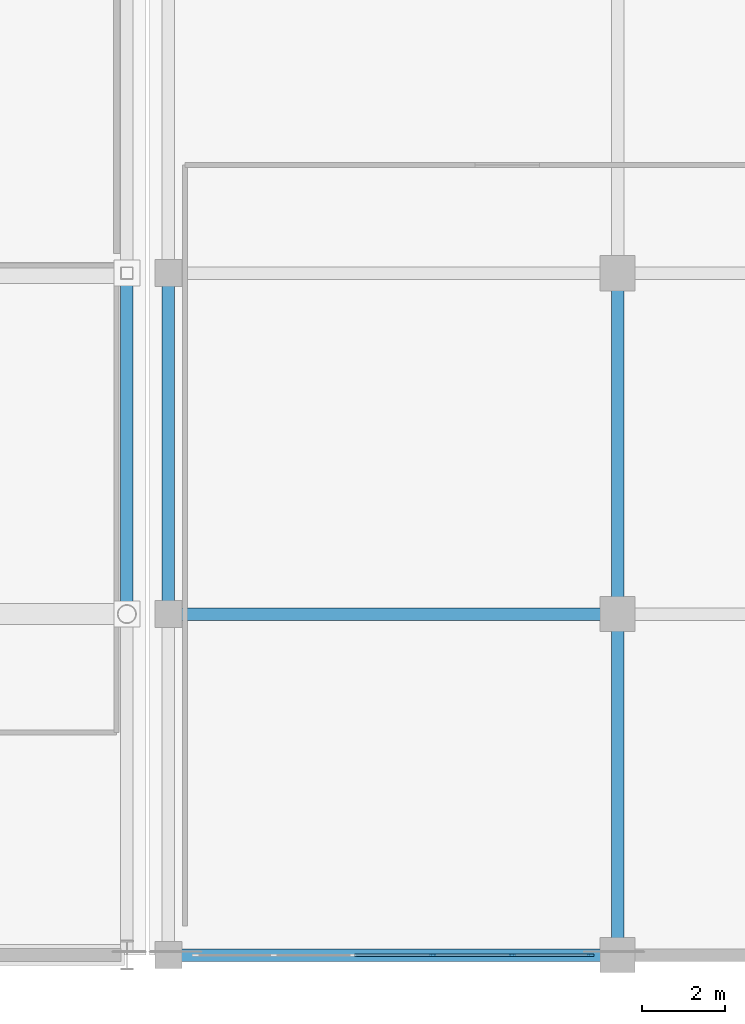
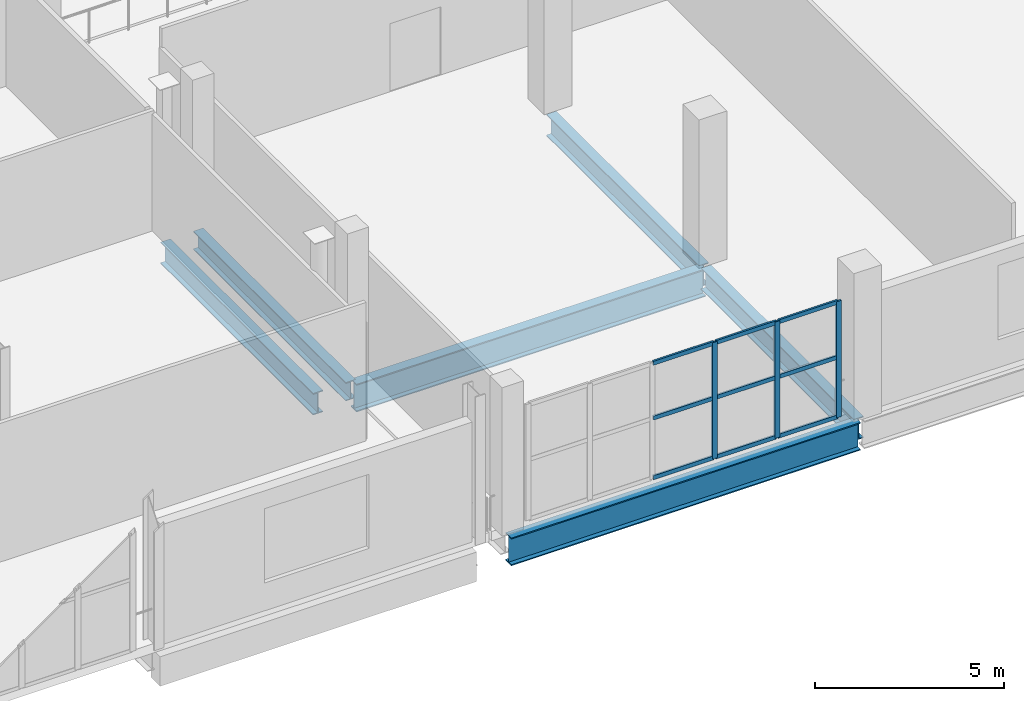
# One storey, part 13 of 142: 12 members, 6 beams, 1 element without a shape of its own.
"""IFC4 building model written with IfcOpenShell, lengths in metres."""

from ifc_helpers import new_model, si_unit, direction, frame, origin, origin_2d, place, context, subcontext, project, spatial, rectangle, i_section, extrude, material, material_profile, profile_set, type_object, element, aggregate, save


model = new_model("IFC4")

# Units and contexts
model_context = context("Model", 3, precision=1e-05, world=origin(), true_north=direction((0.0, 1.0)))
body_context = subcontext(model_context, "Body", "Model", "MODEL_VIEW")
ifc_project = project(units=[si_unit("LENGTHUNIT", "METRE"), si_unit("AREAUNIT", "SQUARE_METRE"), si_unit("VOLUMEUNIT", "CUBIC_METRE"), si_unit("PLANEANGLEUNIT", "RADIAN"), si_unit("MASSUNIT", "GRAM", prefix="KILO")], contexts=[model_context])

# Site, building, storey
site_placement = place(None, origin())
site = spatial("IfcSite", under=ifc_project, at=site_placement, CompositionType="ELEMENT")
building_placement = place(site_placement, origin())
building = spatial("IfcBuilding", under=site, at=building_placement, Name="Koshinbarg Plaza Stadium", CompositionType="ELEMENT")
storey_placement = place(building_placement, frame((0.0, 0.0, 10.199951171875)))
storey = spatial("IfcBuildingStorey", under=building, at=storey_placement, Name="L02", CompositionType="ELEMENT", Elevation=10.199951171875)

# Beams
ifc_material_1 = material(Name="Steel S355", Category="steel")
ifc_material_profile_1 = material_profile(ifc_material_1, i_section(OverallWidth=0.300048828125, OverallDepth=0.60009765625, WebThickness=0.015380859375, FlangeThickness=0.030029296875, at=origin_2d()), Name="HEB 600")
ifc_profile_set_1 = profile_set([ifc_material_profile_1], Name="Steel S355")
beam_type_1 = type_object("IfcBeamType", Name="BM-SGIR-02", PredefinedType="USERDEFINED", material=ifc_profile_set_1)
beam_1_placement = place(storey_placement, frame((24.60009765625, 8.260009765625, -0.599853515625), z_axis=(0.0, 1.0, 0.0), x_axis=(-1.0, 0.0, 0.0)))
element("IfcBeam", 1, at=beam_1_placement, inside=storey, type_object=beam_type_1, Name="L02 Y girder 5/B-C", ObjectType="GIRDER", PredefinedType="USERDEFINED", context=body_context, shape_type="SweptSolid", body=[
    extrude(i_section(OverallWidth=0.300048828125, OverallDepth=0.60009765625, WebThickness=0.015380859375, FlangeThickness=0.030029296875, at=origin_2d()), origin(), (0.0, 0.0, 1.0), 8.080078125),
])
ifc_material_profile_2 = material_profile(ifc_material_1, i_section(OverallWidth=0.300048828125, OverallDepth=0.699951171875, WebThickness=0.01708984375, FlangeThickness=0.031982421875, at=origin_2d()), Name="HEB 700")
ifc_profile_set_2 = profile_set([ifc_material_profile_2], Name="Steel S355")
beam_type_2 = type_object("IfcBeamType", Name="BM-SGIR-03", PredefinedType="USERDEFINED", material=ifc_profile_set_2)
beam_2_placement = place(storey_placement, frame((23.60009765625, 8.260009765625, -0.64990234375), z_axis=(0.0, 1.0, 0.0), x_axis=(-1.0, 0.0, 0.0)))
element("IfcBeam", 2, at=beam_2_placement, inside=storey, type_object=beam_type_2, Name="L02 Y girder 4/B-C", ObjectType="GIRDER", PredefinedType="USERDEFINED", context=body_context, shape_type="SweptSolid", body=[
    extrude(i_section(OverallWidth=0.300048828125, OverallDepth=0.699951171875, WebThickness=0.01708984375, FlangeThickness=0.031982421875, at=origin_2d()), origin(), (0.0, 0.0, 1.0), 8.080078125),
])
beam_3_placement = place(storey_placement, frame((35.39990234375, 0.06005859375, -0.64990234375), z_axis=(0.0, 1.0, 0.0), x_axis=(-1.0, 0.0, 0.0)))
element("IfcBeam", 3, at=beam_3_placement, inside=storey, type_object=beam_type_2, Name="L02 Y girder 6/A-B", ObjectType="GIRDER", PredefinedType="USERDEFINED", context=body_context, shape_type="SweptSolid", body=[
    extrude(i_section(OverallWidth=0.300048828125, OverallDepth=0.699951171875, WebThickness=0.01708984375, FlangeThickness=0.031982421875, at=origin_2d()), origin(), (0.0, 0.0, 1.0), 8.079833984375),
])
beam_4_placement = place(storey_placement, frame((35.39990234375, 8.260009765625, -0.64990234375), z_axis=(0.0, 1.0, 0.0), x_axis=(-1.0, 0.0, 0.0)))
element("IfcBeam", 4, at=beam_4_placement, inside=storey, type_object=beam_type_2, Name="L02 Y girder 6/B-C", ObjectType="GIRDER", PredefinedType="USERDEFINED", context=body_context, shape_type="SweptSolid", body=[
    extrude(i_section(OverallWidth=0.300048828125, OverallDepth=0.699951171875, WebThickness=0.01708984375, FlangeThickness=0.031982421875, at=origin_2d()), origin(), (0.0, 0.0, 1.0), 8.080078125),
])
ifc_material_profile_3 = material_profile(ifc_material_1, i_section(OverallWidth=0.300048828125, OverallDepth=0.89990234375, WebThickness=0.0185546875, FlangeThickness=0.034912109375, at=origin_2d()), Name="HEB 900")
ifc_profile_set_3 = profile_set([ifc_material_profile_3], Name="Steel S355")
beam_type_3 = type_object("IfcBeamType", Name="BM-SGIR-05", PredefinedType="USERDEFINED", material=ifc_profile_set_3)
for number, where, z_axis, x_axis, name in (
    (5, (24.659912109375, 0.0, -0.75), (1.0, 0.0, 0.0), (0.0, 1.0, 0.0), "L02 X girder A/5-6"),
    (6, (24.659912109375, 8.199951171875, -0.75), (1.0, 0.0, 0.0), (0.0, 1.0, 0.0), "L02 X girder B/5-6"),
):
    element("IfcBeam", number, at=place(storey_placement, frame(where, z_axis=z_axis, x_axis=x_axis)), inside=storey, type_object=beam_type_3, Name=name, ObjectType="GIRDER", PredefinedType="USERDEFINED", context=body_context, shape_type="SweptSolid", body=[
        extrude(i_section(OverallWidth=0.300048828125, OverallDepth=0.89990234375, WebThickness=0.0185546875, FlangeThickness=0.034912109375, at=origin_2d()), origin(), (0.0, 0.0, 1.0), 10.68017578125),
    ])

# Curtain wall, members
ifc_material_2 = material(Name="Thermally broken anodised aluminium and low-E double glazing", Category="aluminium")
curtain_wall_type = type_object("IfcCurtainWallType", Name="CW-SYS-06", PredefinedType="NOTDEFINED", material=ifc_material_2)
curtain_wall_placement = place(storey_placement, origin())
curtain_wall = element("IfcCurtainWall", 7, at=curtain_wall_placement, inside=storey, type_object=curtain_wall_type, Name="L02 unitised curtain wall CW-L02-069", PredefinedType="NOTDEFINED")
ifc_material_3 = material(Name="Anodised aluminium mullion", Category="aluminium")
ifc_material_profile_4 = material_profile(ifc_material_3, rectangle(XDim=0.06005859375, YDim=0.159912109375, at=origin_2d()), Name="ALU 60x160")
ifc_profile_set_4 = profile_set([ifc_material_profile_4], Name="Anodised aluminium mullion")
member_type_1 = type_object("IfcMemberType", Name="CW-MUL-02", PredefinedType="MULLION", material=ifc_profile_set_4)
member_1_placement = place(storey_placement, frame((34.75, 0.0, 0.0), z_axis=(0.0, 0.0, 1.0), x_axis=(0.0, -1.0, 0.0)))
member_1 = element("IfcMember", 8, at=member_1_placement, type_object=member_type_1, Name="CW06 mullion 1", PredefinedType="MULLION", context=body_context, shape_type="SweptSolid", body=[
    extrude(rectangle(XDim=0.06005859375, YDim=0.159912109375, at=origin_2d()), origin(), (0.0, 0.0, 1.0), 3.760009765625),
])
member_2_placement = place(storey_placement, frame((32.867919921875, 0.0, 0.0), z_axis=(0.0, 0.0, 1.0), x_axis=(0.0, -1.0, 0.0)))
member_2 = element("IfcMember", 9, at=member_2_placement, type_object=member_type_1, Name="CW06 mullion 2", PredefinedType="MULLION", context=body_context, shape_type="SweptSolid", body=[
    extrude(rectangle(XDim=0.06005859375, YDim=0.159912109375, at=origin_2d()), origin(), (0.0, 0.0, 1.0), 3.760009765625),
])
member_3_placement = place(storey_placement, frame((30.9560546875, 0.0, 0.0), z_axis=(0.0, 0.0, 1.0), x_axis=(0.0, -1.0, 0.0)))
member_3 = element("IfcMember", 10, at=member_3_placement, type_object=member_type_1, Name="CW06 mullion 3", PredefinedType="MULLION", context=body_context, shape_type="SweptSolid", body=[
    extrude(rectangle(XDim=0.06005859375, YDim=0.159912109375, at=origin_2d()), origin(), (0.0, 0.0, 1.0), 3.760009765625),
])
ifc_material_4 = material(Name="Anodised aluminium transom", Category="aluminium")
ifc_material_profile_5 = material_profile(ifc_material_4, rectangle(XDim=0.06005859375, YDim=0.1298828125, at=origin_2d()), Name="ALU 60x130")
ifc_profile_set_5 = profile_set([ifc_material_profile_5], Name="Anodised aluminium transom")
member_type_2 = type_object("IfcMemberType", Name="CW-TRN-02", PredefinedType="USERDEFINED", material=ifc_profile_set_5)
member_4_placement = place(storey_placement, frame((34.719970703125, 0.0, 0.030029296875), z_axis=(-1.0, 0.0, 0.0), x_axis=(0.0, -1.0, 0.0)))
member_4 = element("IfcMember", 11, at=member_4_placement, type_object=member_type_2, Name="CW06 transom 1.1", ObjectType="TRANSOM", PredefinedType="USERDEFINED", context=body_context, shape_type="SweptSolid", body=[
    extrude(rectangle(XDim=0.06005859375, YDim=0.1298828125, at=origin_2d()), origin(), (0.0, 0.0, 1.0), 1.822021484375),
])
member_5_placement = place(storey_placement, frame((34.719970703125, 0.0, 1.955322265625), z_axis=(-1.0, 0.0, 0.0), x_axis=(0.0, -1.0, 0.0)))
member_5 = element("IfcMember", 12, at=member_5_placement, type_object=member_type_2, Name="CW06 transom 1.2", ObjectType="TRANSOM", PredefinedType="USERDEFINED", context=body_context, shape_type="SweptSolid", body=[
    extrude(rectangle(XDim=0.06005859375, YDim=0.1298828125, at=origin_2d()), origin(), (0.0, 0.0, 1.0), 1.822021484375),
])
member_6_placement = place(storey_placement, frame((34.719970703125, 0.0, 3.72998046875), z_axis=(-1.0, 0.0, 0.0), x_axis=(0.0, -1.0, 0.0)))
member_6 = element("IfcMember", 13, at=member_6_placement, type_object=member_type_2, Name="CW06 transom 1.3", ObjectType="TRANSOM", PredefinedType="USERDEFINED", context=body_context, shape_type="SweptSolid", body=[
    extrude(rectangle(XDim=0.06005859375, YDim=0.1298828125, at=origin_2d()), origin(), (0.0, 0.0, 1.0), 1.822021484375),
])
member_7_placement = place(storey_placement, frame((32.837890625, 0.0, 0.030029296875), z_axis=(-1.0, 0.0, 0.0), x_axis=(0.0, -1.0, 0.0)))
member_7 = element("IfcMember", 14, at=member_7_placement, type_object=member_type_2, Name="CW06 transom 2.1", ObjectType="TRANSOM", PredefinedType="USERDEFINED", context=body_context, shape_type="SweptSolid", body=[
    extrude(rectangle(XDim=0.06005859375, YDim=0.1298828125, at=origin_2d()), origin(), (0.0, 0.0, 1.0), 1.851806640625),
])
member_8_placement = place(storey_placement, frame((32.837890625, 0.0, 1.955322265625), z_axis=(-1.0, 0.0, 0.0), x_axis=(0.0, -1.0, 0.0)))
member_8 = element("IfcMember", 15, at=member_8_placement, type_object=member_type_2, Name="CW06 transom 2.2", ObjectType="TRANSOM", PredefinedType="USERDEFINED", context=body_context, shape_type="SweptSolid", body=[
    extrude(rectangle(XDim=0.06005859375, YDim=0.1298828125, at=origin_2d()), origin(), (0.0, 0.0, 1.0), 1.851806640625),
])
member_9_placement = place(storey_placement, frame((32.837890625, 0.0, 3.72998046875), z_axis=(-1.0, 0.0, 0.0), x_axis=(0.0, -1.0, 0.0)))
member_9 = element("IfcMember", 16, at=member_9_placement, type_object=member_type_2, Name="CW06 transom 2.3", ObjectType="TRANSOM", PredefinedType="USERDEFINED", context=body_context, shape_type="SweptSolid", body=[
    extrude(rectangle(XDim=0.06005859375, YDim=0.1298828125, at=origin_2d()), origin(), (0.0, 0.0, 1.0), 1.851806640625),
])
member_10_placement = place(storey_placement, frame((30.926025390625, 0.0, 0.030029296875), z_axis=(-1.0, 0.0, 0.0), x_axis=(0.0, -1.0, 0.0)))
member_10 = element("IfcMember", 17, at=member_10_placement, type_object=member_type_2, Name="CW06 transom 3.1", ObjectType="TRANSOM", PredefinedType="USERDEFINED", context=body_context, shape_type="SweptSolid", body=[
    extrude(rectangle(XDim=0.06005859375, YDim=0.1298828125, at=origin_2d()), origin(), (0.0, 0.0, 1.0), 1.85205078125),
])
member_11_placement = place(storey_placement, frame((30.926025390625, 0.0, 1.955322265625), z_axis=(-1.0, 0.0, 0.0), x_axis=(0.0, -1.0, 0.0)))
member_11 = element("IfcMember", 18, at=member_11_placement, type_object=member_type_2, Name="CW06 transom 3.2", ObjectType="TRANSOM", PredefinedType="USERDEFINED", context=body_context, shape_type="SweptSolid", body=[
    extrude(rectangle(XDim=0.06005859375, YDim=0.1298828125, at=origin_2d()), origin(), (0.0, 0.0, 1.0), 1.85205078125),
])
member_12_placement = place(storey_placement, frame((30.926025390625, 0.0, 3.72998046875), z_axis=(-1.0, 0.0, 0.0), x_axis=(0.0, -1.0, 0.0)))
member_12 = element("IfcMember", 19, at=member_12_placement, type_object=member_type_2, Name="CW06 transom 3.3", ObjectType="TRANSOM", PredefinedType="USERDEFINED", context=body_context, shape_type="SweptSolid", body=[
    extrude(rectangle(XDim=0.06005859375, YDim=0.1298828125, at=origin_2d()), origin(), (0.0, 0.0, 1.0), 1.85205078125),
])
aggregate(curtain_wall, [member_1, member_2, member_3, member_4, member_5, member_6, member_7, member_8, member_9, member_10, member_11, member_12])

save(model, "model.ifc")
